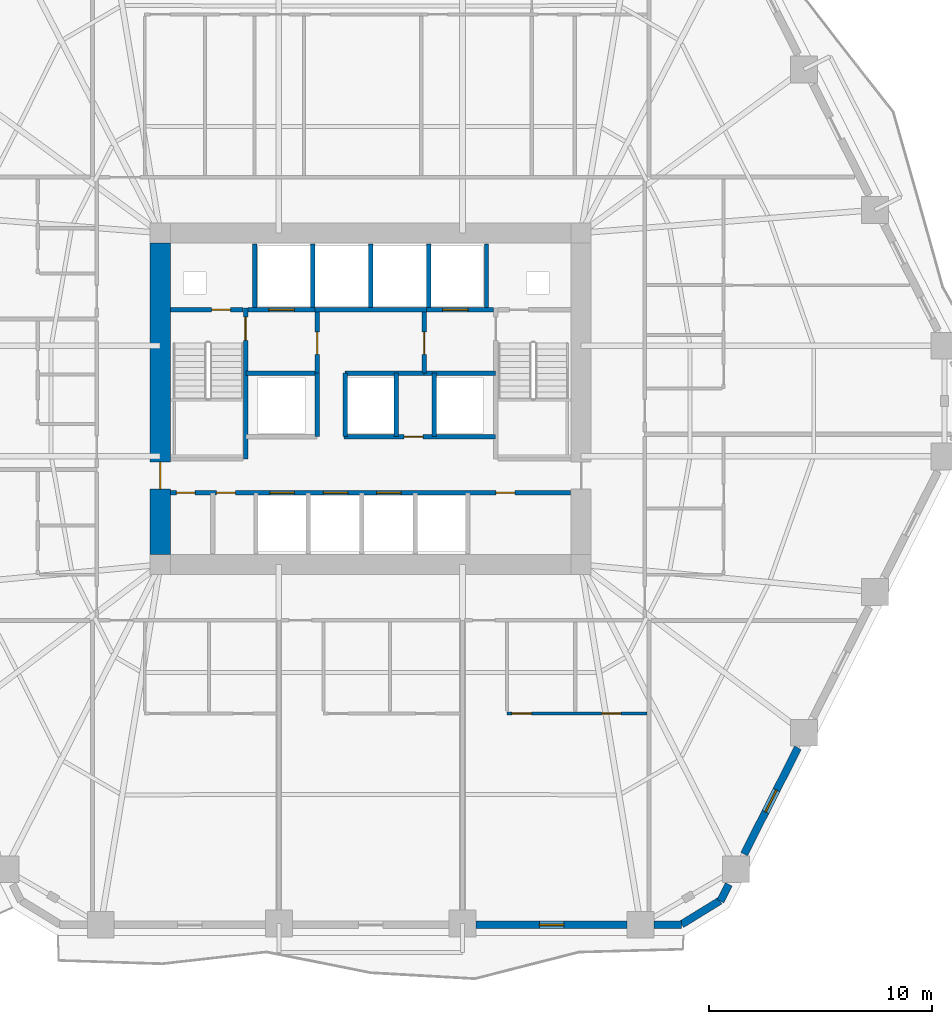
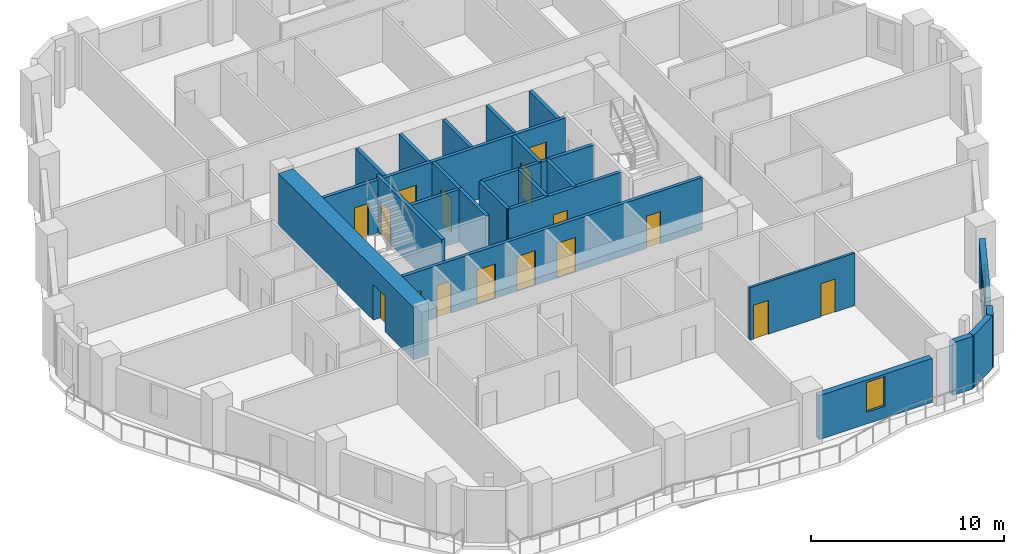
# One storey, part 5 of 11: 28 walls, 16 doors, 2 windows, 18 openings.
"""IFC4 building model written with IfcOpenShell, lengths in metres."""

from ifc_helpers import new_model, si_unit, direction, frame, frame_2d, origin, place, context, subcontext, project, spatial, rectangle, extrude, material, layer, layer_set, type_object, element, fill, save


model = new_model("IFC4")

# Units and contexts
model_context = context("Model", 3, precision=1e-05, world=origin(), true_north=direction((0.0, 1.0)))
body_context = subcontext(model_context, "Body", "Model", "MODEL_VIEW")
ifc_project = project(units=[si_unit("LENGTHUNIT", "METRE"), si_unit("AREAUNIT", "SQUARE_METRE"), si_unit("VOLUMEUNIT", "CUBIC_METRE"), si_unit("PLANEANGLEUNIT", "RADIAN"), si_unit("MASSUNIT", "GRAM", prefix="KILO")], contexts=[model_context])

# Site, building, storey
site_placement = place(None, origin())
site = spatial("IfcSite", under=ifc_project, at=site_placement, CompositionType="ELEMENT")
building_placement = place(site_placement, origin())
building = spatial("IfcBuilding", under=site, at=building_placement, Name="Cinnabar Lancet Tower", CompositionType="ELEMENT")
storey_placement = place(building_placement, frame((0.0, 0.0, 42.64990234375)))
storey = spatial("IfcBuildingStorey", under=building, at=storey_placement, Name="L10", CompositionType="ELEMENT", Elevation=42.64990234375)

# Wall, opening, door
ifc_material_1 = material(Name="Autoclaved aerated concrete blockwork", Category="masonry")
ifc_layer_1 = layer(ifc_material_1, 0.199951171875)
ifc_layer_set_1 = layer_set([ifc_layer_1], Name="Autoclaved aerated concrete blockwork")
wall_type_1 = type_object("IfcWallType", Name="ARC-WL-SHAFT-200", PredefinedType="PLUMBINGWALL", material=ifc_layer_set_1)
wall_1_placement = place(storey_placement, frame((23.405029296875, 29.89990234375, 0.0), z_axis=(0.0, 0.0, 1.0), x_axis=(1.0, 0.0, 0.0)))
wall_1 = element("IfcWall", 1, at=wall_1_placement, inside=storey, type_object=wall_type_1, Name="CW-NSH-W-L10", PredefinedType="PLUMBINGWALL", context=body_context, shape_type="SweptSolid", body=[
    extrude(rectangle(XDim=3.27001953125, YDim=0.199951171875, at=frame_2d((1.635009765625, 0.0))), origin(), (0.0, 0.0, 1.0), 3.330078125),
])
opening_1_placement = place(wall_1_placement, frame((1.85009765625, 0.0, 0.0)))
opening_1 = element("IfcOpeningElement", 2, at=opening_1_placement, cuts=wall_1, Name="Opening PD-02", PredefinedType="OPENING", context=body_context, shape_type="SweptSolid", body=[
    extrude(rectangle(XDim=0.85009765625, YDim=2.050048828125, at=frame_2d((0.425048828125, 1.02490234375))), frame((0.0, 0.10986328125, 0.0), z_axis=(0.0, -1.0, 0.0), x_axis=(1.0, 0.0, 0.0)), (0.0, 0.0, 1.0), 0.219970703125),
])
ifc_material_2 = material(Name="Fire-rated steel riser access door", Category="steel")
door_type_1 = type_object("IfcDoorType", Name="ARC-DR-RISER", OperationType="NOTDEFINED", PredefinedType="DOOR", material=ifc_material_2)
door_1_placement = place(opening_1_placement, origin())
door_1 = element("IfcDoor", 3, at=door_1_placement, inside=storey, type_object=door_type_1, Name="L10 West Riser Access Door", OperationType="SINGLE_SWING_LEFT", OverallHeight=2.050048828125, OverallWidth=0.85009765625, PredefinedType="DOOR", context=body_context, shape_type="SweptSolid", body=[
    extrude(rectangle(XDim=0.85009765625, YDim=2.050048828125, at=frame_2d((0.425048828125, 1.02490234375))), frame((0.0, 0.02490234375, 0.0), z_axis=(0.0, -1.0, 0.0), x_axis=(1.0, 0.0, 0.0)), (0.0, 0.0, 1.0), 0.050048828125),
])
fill(opening_1, door_1)

wall_2_placement = place(storey_placement, frame((26.885009765625, 29.89990234375, 0.0), z_axis=(0.0, 0.0, 1.0), x_axis=(1.0, 0.0, 0.0)))
wall_2 = element("IfcWall", 4, at=wall_2_placement, inside=storey, type_object=wall_type_1, Name="CW-FL1-L10", PredefinedType="PLUMBINGWALL", context=body_context, shape_type="SweptSolid", body=[
    extrude(rectangle(XDim=3.014892578125, YDim=0.199951171875, at=frame_2d((1.50732421875, 0.0))), origin(), (0.0, 0.0, 1.0), 3.330078125),
])
opening_2_placement = place(wall_2_placement, frame((0.93994140625, 0.0, 0.0)))
opening_2 = element("IfcOpeningElement", 5, at=opening_2_placement, cuts=wall_2, Name="Opening LD-02", PredefinedType="OPENING", context=body_context, shape_type="SweptSolid", body=[
    extrude(rectangle(XDim=1.14990234375, YDim=2.199951171875, at=frame_2d((0.574951171875, 1.10009765625))), frame((0.0, 0.10986328125, 0.0), z_axis=(0.0, -1.0, 0.0), x_axis=(1.0, 0.0, 0.0)), (0.0, 0.0, 1.0), 0.219970703125),
])
ifc_material_3 = material(Name="Fire-rated stainless steel firefighting lift landing door", Category="steel")
door_type_2 = type_object("IfcDoorType", Name="ARC-DR-LD-FIRE", OperationType="NOTDEFINED", PredefinedType="DOOR", material=ifc_material_3)
door_2_placement = place(opening_2_placement, origin())
door_2 = element("IfcDoor", 6, at=door_2_placement, inside=storey, type_object=door_type_2, Name="L10 Firefighting Lift FL-1 Landing Door", OperationType="DOUBLE_DOOR_SLIDING", OverallHeight=2.199951171875, OverallWidth=1.14990234375, PredefinedType="DOOR", context=body_context, shape_type="SweptSolid", body=[
    extrude(rectangle(XDim=1.14990234375, YDim=2.199951171875, at=frame_2d((0.574951171875, 1.10009765625))), frame((0.0, 0.02490234375, 0.0), z_axis=(0.0, -1.0, 0.0), x_axis=(1.0, 0.0, 0.0)), (0.0, 0.0, 1.0), 0.050048828125),
])
fill(opening_2, door_2)

# Wall
wall_3_placement = place(storey_placement, frame((29.89990234375, 29.89990234375, 0.0), z_axis=(0.0, 0.0, 1.0), x_axis=(1.0, 0.0, 0.0)))
element("IfcWall", 7, at=wall_3_placement, inside=storey, type_object=wall_type_1, Name="CW-PL78-L10", PredefinedType="PLUMBINGWALL", context=body_context, shape_type="SweptSolid", body=[
    extrude(rectangle(XDim=5.0, YDim=0.199951171875, at=frame_2d((2.5, 0.0))), origin(), (0.0, 0.0, 1.0), 3.330078125),
])

# Wall, opening, door
wall_4_placement = place(storey_placement, frame((34.89990234375, 29.89990234375, 0.0), z_axis=(0.0, 0.0, 1.0), x_axis=(1.0, 0.0, 0.0)))
wall_4 = element("IfcWall", 8, at=wall_4_placement, inside=storey, type_object=wall_type_1, Name="CW-FL2-L10", PredefinedType="PLUMBINGWALL", context=body_context, shape_type="SweptSolid", body=[
    extrude(rectangle(XDim=3.01513671875, YDim=0.199951171875, at=frame_2d((1.507568359375, 0.0))), origin(), (0.0, 0.0, 1.0), 3.330078125),
])
opening_3_placement = place(wall_4_placement, frame((0.72509765625, 0.0, 0.0)))
opening_3 = element("IfcOpeningElement", 9, at=opening_3_placement, cuts=wall_4, Name="Opening LD-02", PredefinedType="OPENING", context=body_context, shape_type="SweptSolid", body=[
    extrude(rectangle(XDim=1.14990234375, YDim=2.199951171875, at=frame_2d((0.574951171875, 1.10009765625))), frame((0.0, 0.10986328125, 0.0), z_axis=(0.0, -1.0, 0.0), x_axis=(1.0, 0.0, 0.0)), (0.0, 0.0, 1.0), 0.219970703125),
])
door_3_placement = place(opening_3_placement, origin())
door_3 = element("IfcDoor", 10, at=door_3_placement, inside=storey, type_object=door_type_2, Name="L10 Firefighting Lift FL-2 Landing Door", OperationType="DOUBLE_DOOR_SLIDING", OverallHeight=2.199951171875, OverallWidth=1.14990234375, PredefinedType="DOOR", context=body_context, shape_type="SweptSolid", body=[
    extrude(rectangle(XDim=1.14990234375, YDim=2.199951171875, at=frame_2d((0.574951171875, 1.10009765625))), frame((0.0, 0.02490234375, 0.0), z_axis=(0.0, -1.0, 0.0), x_axis=(1.0, 0.0, 0.0)), (0.0, 0.0, 1.0), 0.050048828125),
])
fill(opening_3, door_3)

# Walls
for number, where, z_axis, x_axis, name in (
    (11, (27.199951171875, 30.0, 0.0), (0.0, 0.0, 1.0), (0.0, 1.0, 0.0), "CW-NSH-D1-L10"),
    (12, (29.800048828125, 30.0, 0.0), (0.0, 0.0, 1.0), (0.0, 1.0, 0.0), "CW-NSH-D2-L10"),
    (13, (32.39990234375, 30.0, 0.0), (0.0, 0.0, 1.0), (0.0, 1.0, 0.0), "CW-NSH-D3-L10"),
    (14, (35.0, 30.0, 0.0), (0.0, 0.0, 1.0), (0.0, 1.0, 0.0), "CW-NSH-D4-L10"),
    (15, (37.60009765625, 30.0, 0.0), (0.0, 0.0, 1.0), (0.0, 1.0, 0.0), "CW-NSH-D5-L10"),
):
    element("IfcWall", number, at=place(storey_placement, frame(where, z_axis=z_axis, x_axis=x_axis)), inside=storey, type_object=wall_type_1, Name=name, PredefinedType="PLUMBINGWALL", context=body_context, shape_type="SweptSolid", body=[
        extrude(rectangle(XDim=2.85009765625, YDim=0.199951171875, at=frame_2d((1.425048828125, 0.0))), origin(), (0.0, 0.0, 1.0), 3.330078125),
    ])

# Wall, opening, door
wall_5_placement = place(storey_placement, frame((30.0, 27.050048828125, 0.0), z_axis=(0.0, 0.0, 1.0), x_axis=(0.0, 1.0, 0.0)))
wall_5 = element("IfcWall", 16, at=wall_5_placement, inside=storey, type_object=wall_type_1, Name="CW-FF1E-L10", PredefinedType="PLUMBINGWALL", context=body_context, shape_type="SweptSolid", body=[
    extrude(rectangle(XDim=2.75, YDim=0.199951171875, at=frame_2d((1.375, 0.0))), origin(), (0.0, 0.0, 1.0), 3.330078125),
])
opening_4_placement = place(wall_5_placement, frame((0.85009765625, 0.0, 0.0)))
opening_4 = element("IfcOpeningElement", 17, at=opening_4_placement, cuts=wall_5, Name="Opening FD-01", PredefinedType="OPENING", context=body_context, shape_type="SweptSolid", body=[
    extrude(rectangle(XDim=1.0, YDim=2.14990234375, at=frame_2d((0.5, 1.074951171875))), frame((0.0, 0.10986328125, 0.0), z_axis=(0.0, -1.0, 0.0), x_axis=(1.0, 0.0, 0.0)), (0.0, 0.0, 1.0), 0.219970703125),
])
ifc_material_4 = material(Name="Fire-rated timber-core lobby door", Category="wood")
door_type_3 = type_object("IfcDoorType", Name="ARC-DR-FFAL", OperationType="NOTDEFINED", PredefinedType="DOOR", material=ifc_material_4)
door_4_placement = place(opening_4_placement, origin())
door_4 = element("IfcDoor", 18, at=door_4_placement, inside=storey, type_object=door_type_3, Name="L10 FFAL-1 Lobby Fire Door", OperationType="SINGLE_SWING_RIGHT", OverallHeight=2.14990234375, OverallWidth=1.0, PredefinedType="DOOR", context=body_context, shape_type="SweptSolid", body=[
    extrude(rectangle(XDim=1.0, YDim=2.14990234375, at=frame_2d((0.5, 1.074951171875))), frame((0.0, 0.02490234375, 0.0), z_axis=(0.0, -1.0, 0.0), x_axis=(1.0, 0.0, 0.0)), (0.0, 0.0, 1.0), 0.050048828125),
])
fill(opening_4, door_4)

# Wall
wall_6_placement = place(storey_placement, frame((26.800048828125, 27.050048828125, 0.0), z_axis=(0.0, 0.0, 1.0), x_axis=(1.0, 0.0, 0.0)))
element("IfcWall", 19, at=wall_6_placement, inside=storey, type_object=wall_type_1, Name="CW-FF1S-L10", PredefinedType="PLUMBINGWALL", context=body_context, shape_type="SweptSolid", body=[
    extrude(rectangle(XDim=3.199951171875, YDim=0.199951171875, at=frame_2d((1.60009765625, 0.0))), origin(), (0.0, 0.0, 1.0), 3.330078125),
])

# Wall, opening, door
wall_7_placement = place(storey_placement, frame((34.800048828125, 27.050048828125, 0.0), z_axis=(0.0, 0.0, 1.0), x_axis=(0.0, 1.0, 0.0)))
wall_7 = element("IfcWall", 20, at=wall_7_placement, inside=storey, type_object=wall_type_1, Name="CW-FF2W-L10", PredefinedType="PLUMBINGWALL", context=body_context, shape_type="SweptSolid", body=[
    extrude(rectangle(XDim=2.75, YDim=0.199951171875, at=frame_2d((1.375, 0.0))), origin(), (0.0, 0.0, 1.0), 3.330078125),
])
opening_5_placement = place(wall_7_placement, frame((0.85009765625, 0.0, 0.0)))
opening_5 = element("IfcOpeningElement", 21, at=opening_5_placement, cuts=wall_7, Name="Opening FD-01", PredefinedType="OPENING", context=body_context, shape_type="SweptSolid", body=[
    extrude(rectangle(XDim=1.0, YDim=2.14990234375, at=frame_2d((0.5, 1.074951171875))), frame((0.0, 0.10986328125, 0.0), z_axis=(0.0, -1.0, 0.0), x_axis=(1.0, 0.0, 0.0)), (0.0, 0.0, 1.0), 0.219970703125),
])
door_5_placement = place(opening_5_placement, origin())
door_5 = element("IfcDoor", 22, at=door_5_placement, inside=storey, type_object=door_type_3, Name="L10 FFAL-2 Lobby Fire Door", OperationType="SINGLE_SWING_LEFT", OverallHeight=2.14990234375, OverallWidth=1.0, PredefinedType="DOOR", context=body_context, shape_type="SweptSolid", body=[
    extrude(rectangle(XDim=1.0, YDim=2.14990234375, at=frame_2d((0.5, 1.074951171875))), frame((0.0, 0.02490234375, 0.0), z_axis=(0.0, -1.0, 0.0), x_axis=(1.0, 0.0, 0.0)), (0.0, 0.0, 1.0), 0.050048828125),
])
fill(opening_5, door_5)

# Walls
wall_8_placement = place(storey_placement, frame((34.800048828125, 27.050048828125, 0.0), z_axis=(0.0, 0.0, 1.0), x_axis=(1.0, 0.0, 0.0)))
element("IfcWall", 23, at=wall_8_placement, inside=storey, type_object=wall_type_1, Name="CW-FF2S-L10", PredefinedType="PLUMBINGWALL", context=body_context, shape_type="SweptSolid", body=[
    extrude(rectangle(XDim=3.199951171875, YDim=0.199951171875, at=frame_2d((1.60009765625, 0.0))), origin(), (0.0, 0.0, 1.0), 3.330078125),
])
wall_9_placement = place(storey_placement, frame((30.0, 24.199951171875, 0.0), z_axis=(0.0, 0.0, 1.0), x_axis=(0.0, 1.0, 0.0)))
element("IfcWall", 24, at=wall_9_placement, inside=storey, type_object=wall_type_1, Name="CW-PL5E-L10", PredefinedType="PLUMBINGWALL", context=body_context, shape_type="SweptSolid", body=[
    extrude(rectangle(XDim=2.85009765625, YDim=0.199951171875, at=frame_2d((1.425048828125, 0.0))), origin(), (0.0, 0.0, 1.0), 3.330078125),
])

# Wall, opening, door
wall_10_placement = place(storey_placement, frame((31.199951171875, 24.199951171875, 0.0), z_axis=(0.0, 0.0, 1.0), x_axis=(1.0, 0.0, 0.0)))
wall_10 = element("IfcWall", 25, at=wall_10_placement, inside=storey, type_object=wall_type_1, Name="CW-PL96S-L10", PredefinedType="PLUMBINGWALL", context=body_context, shape_type="SweptSolid", body=[
    extrude(rectangle(XDim=6.800048828125, YDim=0.199951171875, at=frame_2d((3.39990234375, 0.0))), origin(), (0.0, 0.0, 1.0), 3.330078125),
])
opening_6_placement = place(wall_10_placement, frame((2.699951171875, 0.0, 0.0)))
opening_6 = element("IfcOpeningElement", 26, at=opening_6_placement, cuts=wall_10, Name="Opening PD-02", PredefinedType="OPENING", context=body_context, shape_type="SweptSolid", body=[
    extrude(rectangle(XDim=0.85009765625, YDim=2.050048828125, at=frame_2d((0.425048828125, 1.02490234375))), frame((0.0, 0.10986328125, 0.0), z_axis=(0.0, -1.0, 0.0), x_axis=(1.0, 0.0, 0.0)), (0.0, 0.0, 1.0), 0.219970703125),
])
door_6_placement = place(opening_6_placement, origin())
door_6 = element("IfcDoor", 27, at=door_6_placement, inside=storey, type_object=door_type_1, Name="L10 BMS Closet Door", OperationType="SINGLE_SWING_LEFT", OverallHeight=2.050048828125, OverallWidth=0.85009765625, PredefinedType="DOOR", context=body_context, shape_type="SweptSolid", body=[
    extrude(rectangle(XDim=0.85009765625, YDim=2.050048828125, at=frame_2d((0.425048828125, 1.02490234375))), frame((0.0, 0.02490234375, 0.0), z_axis=(0.0, -1.0, 0.0), x_axis=(1.0, 0.0, 0.0)), (0.0, 0.0, 1.0), 0.050048828125),
])
fill(opening_6, door_6)

# Walls
for number, where, z_axis, x_axis, name in (
    (28, (31.25, 24.199951171875, 0.0), (0.0, 0.0, 1.0), (0.0, 1.0, 0.0), "CW-PL9W-L10"),
    (29, (33.550048828125, 24.199951171875, 0.0), (0.0, 0.0, 1.0), (0.0, 1.0, 0.0), "CW-PL9E-L10"),
    (30, (35.25, 24.199951171875, 0.0), (0.0, 0.0, 1.0), (0.0, 1.0, 0.0), "CW-PL6W-L10"),
):
    element("IfcWall", number, at=place(storey_placement, frame(where, z_axis=z_axis, x_axis=x_axis)), inside=storey, type_object=wall_type_1, Name=name, PredefinedType="PLUMBINGWALL", context=body_context, shape_type="SweptSolid", body=[
        extrude(rectangle(XDim=2.85009765625, YDim=0.199951171875, at=frame_2d((1.425048828125, 0.0))), origin(), (0.0, 0.0, 1.0), 3.330078125),
    ])
wall_11_placement = place(storey_placement, frame((31.25, 27.050048828125, 0.0), z_axis=(0.0, 0.0, 1.0), x_axis=(1.0, 0.0, 0.0)))
element("IfcWall", 31, at=wall_11_placement, inside=storey, type_object=wall_type_1, Name="CW-PL96N-L10", PredefinedType="PLUMBINGWALL", context=body_context, shape_type="SweptSolid", body=[
    extrude(rectangle(XDim=3.550048828125, YDim=0.199951171875, at=frame_2d((1.77490234375, 0.0))), origin(), (0.0, 0.0, 1.0), 3.330078125),
])

# Wall, openings, doors
wall_12_placement = place(storey_placement, frame((23.419921875, 21.679931640625, 0.0), z_axis=(0.0, 0.0, 1.0), x_axis=(1.0, 0.0, 0.0)))
wall_12 = element("IfcWall", 32, at=wall_12_placement, inside=storey, type_object=wall_type_1, Name="CW-SBANDN-L10", PredefinedType="PLUMBINGWALL", context=body_context, shape_type="SweptSolid", body=[
    extrude(rectangle(XDim=17.9599609375, YDim=0.199951171875, at=frame_2d((8.97998046875, 0.0))), origin(), (0.0, 0.0, 1.0), 3.330078125),
])
opening_7_placement = place(wall_12_placement, frame((4.449951171875, 0.0, 0.0)))
opening_7 = element("IfcOpeningElement", 33, at=opening_7_placement, cuts=wall_12, Name="Opening LD-01", PredefinedType="OPENING", context=body_context, shape_type="SweptSolid", body=[
    extrude(rectangle(XDim=1.10009765625, YDim=2.199951171875, at=frame_2d((0.550048828125, 1.10009765625))), frame((0.0, 0.10986328125, 0.0), z_axis=(0.0, -1.0, 0.0), x_axis=(1.0, 0.0, 0.0)), (0.0, 0.0, 1.0), 0.219970703125),
])
opening_8_placement = place(wall_12_placement, frame((6.85009765625, 0.0, 0.0)))
opening_8 = element("IfcOpeningElement", 34, at=opening_8_placement, cuts=wall_12, Name="Opening LD-01", PredefinedType="OPENING", context=body_context, shape_type="SweptSolid", body=[
    extrude(rectangle(XDim=1.10009765625, YDim=2.199951171875, at=frame_2d((0.550048828125, 1.10009765625))), frame((0.0, 0.10986328125, 0.0), z_axis=(0.0, -1.0, 0.0), x_axis=(1.0, 0.0, 0.0)), (0.0, 0.0, 1.0), 0.219970703125),
])
opening_9_placement = place(wall_12_placement, frame((9.25, 0.0, 0.0)))
opening_9 = element("IfcOpeningElement", 35, at=opening_9_placement, cuts=wall_12, Name="Opening LD-01", PredefinedType="OPENING", context=body_context, shape_type="SweptSolid", body=[
    extrude(rectangle(XDim=1.10009765625, YDim=2.199951171875, at=frame_2d((0.550048828125, 1.10009765625))), frame((0.0, 0.10986328125, 0.0), z_axis=(0.0, -1.0, 0.0), x_axis=(1.0, 0.0, 0.0)), (0.0, 0.0, 1.0), 0.219970703125),
])
opening_10_placement = place(wall_12_placement, frame((0.25, 0.0, 0.0)))
opening_10 = element("IfcOpeningElement", 36, at=opening_10_placement, cuts=wall_12, Name="Opening PD-02", PredefinedType="OPENING", context=body_context, shape_type="SweptSolid", body=[
    extrude(rectangle(XDim=0.85009765625, YDim=2.050048828125, at=frame_2d((0.425048828125, 1.02490234375))), frame((0.0, 0.10986328125, 0.0), z_axis=(0.0, -1.0, 0.0), x_axis=(1.0, 0.0, 0.0)), (0.0, 0.0, 1.0), 0.219970703125),
])
opening_11_placement = place(wall_12_placement, frame((2.050048828125, 0.0, 0.0)))
opening_11 = element("IfcOpeningElement", 37, at=opening_11_placement, cuts=wall_12, Name="Opening PD-02", PredefinedType="OPENING", context=body_context, shape_type="SweptSolid", body=[
    extrude(rectangle(XDim=0.85009765625, YDim=2.050048828125, at=frame_2d((0.425048828125, 1.02490234375))), frame((0.0, 0.10986328125, 0.0), z_axis=(0.0, -1.0, 0.0), x_axis=(1.0, 0.0, 0.0)), (0.0, 0.0, 1.0), 0.219970703125),
])
opening_12_placement = place(wall_12_placement, frame((14.60009765625, 0.0, 0.0)))
opening_12 = element("IfcOpeningElement", 38, at=opening_12_placement, cuts=wall_12, Name="Opening PD-02", PredefinedType="OPENING", context=body_context, shape_type="SweptSolid", body=[
    extrude(rectangle(XDim=0.85009765625, YDim=2.050048828125, at=frame_2d((0.425048828125, 1.02490234375))), frame((0.0, 0.10986328125, 0.0), z_axis=(0.0, -1.0, 0.0), x_axis=(1.0, 0.0, 0.0)), (0.0, 0.0, 1.0), 0.219970703125),
])
ifc_material_5 = material(Name="Brushed stainless steel sliding lift door", Category="steel")
door_type_4 = type_object("IfcDoorType", Name="ARC-DR-LD-PASS", OperationType="NOTDEFINED", PredefinedType="DOOR", material=ifc_material_5)
door_7_placement = place(opening_7_placement, origin())
door_7 = element("IfcDoor", 39, at=door_7_placement, inside=storey, type_object=door_type_4, Name="L10 Lift PL-1 Landing Door", OperationType="DOUBLE_DOOR_SLIDING", OverallHeight=2.199951171875, OverallWidth=1.10009765625, PredefinedType="DOOR", context=body_context, shape_type="SweptSolid", body=[
    extrude(rectangle(XDim=1.10009765625, YDim=2.199951171875, at=frame_2d((0.550048828125, 1.10009765625))), frame((0.0, 0.02490234375, 0.0), z_axis=(0.0, -1.0, 0.0), x_axis=(1.0, 0.0, 0.0)), (0.0, 0.0, 1.0), 0.050048828125),
])
fill(opening_7, door_7)
door_8_placement = place(opening_8_placement, origin())
door_8 = element("IfcDoor", 40, at=door_8_placement, inside=storey, type_object=door_type_4, Name="L10 Lift PL-2 Landing Door", OperationType="DOUBLE_DOOR_SLIDING", OverallHeight=2.199951171875, OverallWidth=1.10009765625, PredefinedType="DOOR", context=body_context, shape_type="SweptSolid", body=[
    extrude(rectangle(XDim=1.10009765625, YDim=2.199951171875, at=frame_2d((0.550048828125, 1.10009765625))), frame((0.0, 0.02490234375, 0.0), z_axis=(0.0, -1.0, 0.0), x_axis=(1.0, 0.0, 0.0)), (0.0, 0.0, 1.0), 0.050048828125),
])
fill(opening_8, door_8)
door_9_placement = place(opening_9_placement, origin())
door_9 = element("IfcDoor", 41, at=door_9_placement, inside=storey, type_object=door_type_4, Name="L10 Lift PL-3 Landing Door", OperationType="DOUBLE_DOOR_SLIDING", OverallHeight=2.199951171875, OverallWidth=1.10009765625, PredefinedType="DOOR", context=body_context, shape_type="SweptSolid", body=[
    extrude(rectangle(XDim=1.10009765625, YDim=2.199951171875, at=frame_2d((0.550048828125, 1.10009765625))), frame((0.0, 0.02490234375, 0.0), z_axis=(0.0, -1.0, 0.0), x_axis=(1.0, 0.0, 0.0)), (0.0, 0.0, 1.0), 0.050048828125),
])
fill(opening_9, door_9)
door_10_placement = place(opening_10_placement, origin())
door_10 = element("IfcDoor", 42, at=door_10_placement, inside=storey, type_object=door_type_1, Name="DR-L10-SW1", OperationType="SINGLE_SWING_LEFT", OverallHeight=2.050048828125, OverallWidth=0.85009765625, PredefinedType="DOOR", context=body_context, shape_type="SweptSolid", body=[
    extrude(rectangle(XDim=0.85009765625, YDim=2.050048828125, at=frame_2d((0.425048828125, 1.02490234375))), frame((0.0, 0.02490234375, 0.0), z_axis=(0.0, -1.0, 0.0), x_axis=(1.0, 0.0, 0.0)), (0.0, 0.0, 1.0), 0.050048828125),
])
fill(opening_10, door_10)
door_11_placement = place(opening_11_placement, origin())
door_11 = element("IfcDoor", 43, at=door_11_placement, inside=storey, type_object=door_type_1, Name="DR-L10-SW2", OperationType="SINGLE_SWING_RIGHT", OverallHeight=2.050048828125, OverallWidth=0.85009765625, PredefinedType="DOOR", context=body_context, shape_type="SweptSolid", body=[
    extrude(rectangle(XDim=0.85009765625, YDim=2.050048828125, at=frame_2d((0.425048828125, 1.02490234375))), frame((0.0, 0.02490234375, 0.0), z_axis=(0.0, -1.0, 0.0), x_axis=(1.0, 0.0, 0.0)), (0.0, 0.0, 1.0), 0.050048828125),
])
fill(opening_11, door_11)
door_12_placement = place(opening_12_placement, origin())
door_12 = element("IfcDoor", 44, at=door_12_placement, inside=storey, type_object=door_type_1, Name="DR-L10-SE1", OperationType="SINGLE_SWING_LEFT", OverallHeight=2.050048828125, OverallWidth=0.85009765625, PredefinedType="DOOR", context=body_context, shape_type="SweptSolid", body=[
    extrude(rectangle(XDim=0.85009765625, YDim=2.050048828125, at=frame_2d((0.425048828125, 1.02490234375))), frame((0.0, 0.02490234375, 0.0), z_axis=(0.0, -1.0, 0.0), x_axis=(1.0, 0.0, 0.0)), (0.0, 0.0, 1.0), 0.050048828125),
])
fill(opening_12, door_12)

ifc_material_6 = material(Name="Moisture-resistant cement-board plumbing wall", Category="masonry")
ifc_layer_2 = layer(ifc_material_6, 0.139892578125)
ifc_layer_set_2 = layer_set([ifc_layer_2], Name="Moisture-resistant cement-board plumbing wall")
wall_type_2 = type_object("IfcWallType", Name="ARC-WL-WET-140", PredefinedType="PLUMBINGWALL", material=ifc_layer_set_2)
wall_13_placement = place(storey_placement, frame((38.52197265625, 11.76708984375, 0.0), z_axis=(0.0, 0.0, 1.0), x_axis=(1.0, 0.0, 0.0)))
wall_13 = element("IfcWall", 45, at=wall_13_placement, inside=storey, type_object=wall_type_2, Name="UW-L10-S03-SPL", PredefinedType="PLUMBINGWALL", context=body_context, shape_type="SweptSolid", body=[
    extrude(rectangle(XDim=6.282958984375, YDim=0.139892578125, at=frame_2d((3.1416015625, 0.0))), origin(), (0.0, 0.0, 1.0), 3.330078125),
])
opening_13_placement = place(wall_13_placement, frame((4.2470703125, 0.0, 0.0)))
opening_13 = element("IfcOpeningElement", 46, at=opening_13_placement, cuts=wall_13, Name="Opening BD-01", PredefinedType="OPENING", context=body_context, shape_type="SweptSolid", body=[
    extrude(rectangle(XDim=0.860107421875, YDim=2.10009765625, at=frame_2d((0.43017578125, 1.050048828125))), frame((0.0, 0.079833984375, 0.0), z_axis=(0.0, -1.0, 0.0), x_axis=(1.0, 0.0, 0.0)), (0.0, 0.0, 1.0), 0.159912109375),
])
opening_14_placement = place(wall_13_placement, frame((0.219970703125, 0.0, 0.0)))
opening_14 = element("IfcOpeningElement", 47, at=opening_14_placement, cuts=wall_13, Name="Opening RD-02", PredefinedType="OPENING", context=body_context, shape_type="SweptSolid", body=[
    extrude(rectangle(XDim=0.8798828125, YDim=2.14990234375, at=frame_2d((0.43994140625, 1.074951171875))), frame((0.0, 0.079833984375, 0.0), z_axis=(0.0, -1.0, 0.0), x_axis=(1.0, 0.0, 0.0)), (0.0, 0.0, 1.0), 0.159912109375),
])
ifc_material_7 = material(Name="Moisture-resistant timber bathroom door", Category="wood")
door_type_5 = type_object("IfcDoorType", Name="ARC-DR-BATH", OperationType="NOTDEFINED", PredefinedType="DOOR", material=ifc_material_7)
door_13_placement = place(opening_13_placement, origin())
door_13 = element("IfcDoor", 48, at=door_13_placement, inside=storey, type_object=door_type_5, Name="DR-L10-S03-BTH", OperationType="SINGLE_SWING_LEFT", OverallHeight=2.10009765625, OverallWidth=0.860107421875, PredefinedType="DOOR", context=body_context, shape_type="SweptSolid", body=[
    extrude(rectangle(XDim=0.860107421875, YDim=2.10009765625, at=frame_2d((0.43017578125, 1.050048828125))), frame((0.0, 0.02490234375, 0.0), z_axis=(0.0, -1.0, 0.0), x_axis=(1.0, 0.0, 0.0)), (0.0, 0.0, 1.0), 0.050048828125),
])
fill(opening_13, door_13)
ifc_material_8 = material(Name="Engineered timber study door", Category="wood")
door_type_6 = type_object("IfcDoorType", Name="ARC-DR-STUDY", OperationType="NOTDEFINED", PredefinedType="DOOR", material=ifc_material_8)
door_14_placement = place(opening_14_placement, origin())
door_14 = element("IfcDoor", 49, at=door_14_placement, inside=storey, type_object=door_type_6, Name="DR-L10-S03-KIT", OperationType="SINGLE_SWING_RIGHT", OverallHeight=2.14990234375, OverallWidth=0.8798828125, PredefinedType="DOOR", context=body_context, shape_type="SweptSolid", body=[
    extrude(rectangle(XDim=0.8798828125, YDim=2.14990234375, at=frame_2d((0.43994140625, 1.074951171875))), frame((0.0, 0.02490234375, 0.0), z_axis=(0.0, -1.0, 0.0), x_axis=(1.0, 0.0, 0.0)), (0.0, 0.0, 1.0), 0.050048828125),
])
fill(opening_14, door_14)

# Wall
ifc_material_9 = material(Name="Cinnabar red clay brick", Category="masonry")
ifc_layer_3 = layer(ifc_material_9, 0.340087890625)
ifc_layer_set_3 = layer_set([ifc_layer_3], Name="Cinnabar red clay brick")
wall_type_3 = type_object("IfcWallType", Name="ENV-WL-BRK-RED-340", PredefinedType="STANDARD", material=ifc_layer_set_3)
wall_14_placement = place(storey_placement, frame((46.361083984375, 2.304931640625, 0.0), z_axis=(0.0, 0.0, 1.0), x_axis=(0.851816122478, 0.523840904748, 0.0)))
element("IfcWall", 50, at=wall_14_placement, inside=storey, type_object=wall_type_3, Name="L10 Chamfered Corner Brick Pier 2.1", PredefinedType="STANDARD", context=body_context, shape_type="SweptSolid", body=[
    extrude(rectangle(XDim=2.01806640625, YDim=0.340087890625, at=frame_2d((1.009033203125, 0.0))), origin(), (0.0, 0.0, 1.0), 3.330078125),
])

# Wall, opening, window
wall_15_placement = place(storey_placement, frame((37.1259765625, 2.280029296875, 0.0), z_axis=(0.0, 0.0, 1.0), x_axis=(1.0, 0.0, 0.0)))
wall_15 = element("IfcWall", 51, at=wall_15_placement, inside=storey, type_object=wall_type_3, Name="L10 Face 1 Masonry Bay Wall 4", PredefinedType="STANDARD", context=body_context, shape_type="SweptSolid", body=[
    extrude(rectangle(XDim=6.787109375, YDim=0.340087890625, at=frame_2d((3.3935546875, 0.0))), origin(), (0.0, 0.0, 1.0), 2.787109375),
])
opening_15_placement = place(wall_15_placement, frame((2.843017578125, 0.0, 0.75)))
opening_15 = element("IfcOpeningElement", 52, at=opening_15_placement, cuts=wall_15, Name="Opening WN-04", PredefinedType="OPENING", context=body_context, shape_type="SweptSolid", body=[
    extrude(rectangle(XDim=1.10009765625, YDim=1.886962890625, at=frame_2d((0.550048828125, 0.943359375))), frame((0.0, 0.179931640625, 0.0), z_axis=(0.0, -1.0, 0.0), x_axis=(1.0, 0.0, 0.0)), (0.0, 0.0, 1.0), 0.360107421875),
])
ifc_material_10 = material(Name="Thermally broken bronze-anodized aluminium tall lancet window", Category="aluminium")
window_type = type_object("IfcWindowType", Name="ENV-WN-LANCET-1100", PartitioningType="SINGLE_PANEL", PredefinedType="WINDOW", material=ifc_material_10)
window_1_placement = place(opening_15_placement, origin())
window_1 = element("IfcWindow", 53, at=window_1_placement, inside=storey, type_object=window_type, Name="L10 Face 1 Gothic Lancet Window 4", OverallHeight=1.886962890625, OverallWidth=1.10009765625, PartitioningType="SINGLE_PANEL", PredefinedType="WINDOW", context=body_context, shape_type="SweptSolid", body=[
    extrude(rectangle(XDim=1.10009765625, YDim=1.886962890625, at=frame_2d((0.550048828125, 0.943359375))), frame((0.0, 0.030029296875, 0.0), z_axis=(0.0, -1.0, 0.0), x_axis=(1.0, 0.0, 0.0)), (0.0, 0.0, 1.0), 0.06005859375),
])
fill(opening_15, window_1)

# Walls
wall_16_placement = place(storey_placement, frame((45.12109375, 2.280029296875, 0.0), z_axis=(0.0, 0.0, 1.0), x_axis=(1.0, 0.0, 0.0)))
element("IfcWall", 54, at=wall_16_placement, inside=storey, type_object=wall_type_3, Name="L10 Face 1 Masonry Bay Wall 5", PredefinedType="STANDARD", context=body_context, shape_type="SweptSolid", body=[
    extrude(rectangle(XDim=1.244873046875, YDim=0.340087890625, at=frame_2d((0.62255859375, 0.0))), origin(), (0.0, 0.0, 1.0), 3.330078125),
])
wall_17_placement = place(storey_placement, frame((48.10009765625, 3.345947265625, 0.0), z_axis=(0.0, 0.0, 1.0), x_axis=(0.45187807258, 0.892079709175, 0.0)))
element("IfcWall", 55, at=wall_17_placement, inside=storey, type_object=wall_type_3, Name="L10 Face 2 Masonry Bay Wall 1", PredefinedType="STANDARD", context=body_context, shape_type="SweptSolid", body=[
    extrude(rectangle(XDim=0.83642578125, YDim=0.340087890625, at=frame_2d((0.418212890625, 0.0))), origin(), (0.0, 0.0, 1.0), 3.330078125),
])

# Wall, opening, window
wall_18_placement = place(storey_placement, frame((49.166015625, 5.4541015625, 0.0), z_axis=(0.0, 0.0, 1.0), x_axis=(0.451697561555, 0.892171123095, 0.0)))
wall_18 = element("IfcWall", 56, at=wall_18_placement, inside=storey, type_object=wall_type_3, Name="L10 Face 2 Masonry Bay Wall 2", PredefinedType="STANDARD", context=body_context, shape_type="SweptSolid", body=[
    extrude(rectangle(XDim=5.350830078125, YDim=0.340087890625, at=frame_2d((2.67529296875, 0.0))), origin(), (0.0, 0.0, 1.0), 2.787109375),
])
opening_16_placement = place(wall_18_placement, frame((2.125, 0.0, 0.75)))
opening_16 = element("IfcOpeningElement", 57, at=opening_16_placement, cuts=wall_18, Name="Opening WN-04", PredefinedType="OPENING", context=body_context, shape_type="SweptSolid", body=[
    extrude(rectangle(XDim=1.10009765625, YDim=1.886962890625, at=frame_2d((0.550048828125, 0.943359375))), frame((0.0, 0.179931640625, 0.0), z_axis=(0.0, -1.0, 0.0), x_axis=(1.0, 0.0, 0.0)), (0.0, 0.0, 1.0), 0.360107421875),
])
window_2_placement = place(opening_16_placement, origin())
window_2 = element("IfcWindow", 58, at=window_2_placement, inside=storey, type_object=window_type, Name="L10 Face 2 Gothic Lancet Window 2", OverallHeight=1.886962890625, OverallWidth=1.10009765625, PartitioningType="SINGLE_PANEL", PredefinedType="WINDOW", context=body_context, shape_type="SweptSolid", body=[
    extrude(rectangle(XDim=1.10009765625, YDim=1.886962890625, at=frame_2d((0.550048828125, 0.943359375))), frame((0.0, 0.030029296875, 0.0), z_axis=(0.0, -1.0, 0.0), x_axis=(1.0, 0.0, 0.0)), (0.0, 0.0, 1.0), 0.06005859375),
])
fill(opening_16, window_2)

# Wall, opening, door
ifc_material_11 = material(Name="Concrete C80/95", Category="concrete")
ifc_layer_4 = layer(ifc_material_11, 0.89990234375)
ifc_layer_set_4 = layer_set([ifc_layer_4], Name="Concrete C80/95")
wall_type_4 = type_object("IfcWallType", Name="STR-WL-CORE-900", PredefinedType="SHEAR", material=ifc_layer_set_4)
wall_19_placement = place(storey_placement, frame((22.949951171875, 18.89990234375, 0.0), z_axis=(0.0, 0.0, 1.0), x_axis=(0.0, 1.0, 0.0)))
wall_19 = element("IfcWall", 59, at=wall_19_placement, inside=storey, type_object=wall_type_4, Name="L10 Core Shear Wall W", PredefinedType="SHEAR", context=body_context, shape_type="SweptSolid", body=[
    extrude(rectangle(XDim=14.0, YDim=0.89990234375, at=frame_2d((7.0, 0.0))), origin(), (0.0, 0.0, 1.0), 3.330078125),
])
opening_17_placement = place(wall_19_placement, frame((2.93994140625, 0.0, 0.0)))
opening_17 = element("IfcOpeningElement", 60, at=opening_17_placement, cuts=wall_19, Name="Opening FD-02", PredefinedType="OPENING", context=body_context, shape_type="SweptSolid", body=[
    extrude(rectangle(XDim=1.219970703125, YDim=2.25, at=frame_2d((0.60986328125, 1.125))), frame((0.0, 0.4599609375, 0.0), z_axis=(0.0, -1.0, 0.0), x_axis=(1.0, 0.0, 0.0)), (0.0, 0.0, 1.0), 0.919921875),
])
ifc_material_12 = material(Name="Fire-rated double-vision core portal door", Category="wood")
door_type_7 = type_object("IfcDoorType", Name="ARC-DR-CPORT", OperationType="NOTDEFINED", PredefinedType="DOOR", material=ifc_material_12)
door_15_placement = place(opening_17_placement, origin())
door_15 = element("IfcDoor", 61, at=door_15_placement, inside=storey, type_object=door_type_7, Name="L10 West Core Lobby Fire Door", OperationType="SINGLE_SWING_RIGHT", OverallHeight=2.25, OverallWidth=1.219970703125, PredefinedType="DOOR", context=body_context, shape_type="SweptSolid", body=[
    extrude(rectangle(XDim=1.219970703125, YDim=2.25, at=frame_2d((0.60986328125, 1.125))), frame((0.0, 0.02490234375, 0.0), z_axis=(0.0, -1.0, 0.0), x_axis=(1.0, 0.0, 0.0)), (0.0, 0.0, 1.0), 0.050048828125),
])
fill(opening_17, door_15)

ifc_material_13 = material(Name="Concrete C50/60", Category="concrete")
ifc_layer_5 = layer(ifc_material_13, 0.199951171875)
ifc_layer_set_5 = layer_set([ifc_layer_5], Name="Concrete C50/60")
wall_type_5 = type_object("IfcWallType", Name="STR-WL-STAIR-200", PredefinedType="SHEAR", material=ifc_layer_set_5)
wall_20_placement = place(storey_placement, frame((26.780029296875, 23.199951171875, 0.0), z_axis=(0.0, 0.0, 1.0), x_axis=(0.0, 1.0, 0.0)))
wall_20 = element("IfcWall", 62, at=wall_20_placement, inside=storey, type_object=wall_type_5, Name="L10 Stair ST-1 Structural Enclosure Wall", PredefinedType="SHEAR", context=body_context, shape_type="SweptSolid", body=[
    extrude(rectangle(XDim=6.780029296875, YDim=0.199951171875, at=frame_2d((3.39013671875, 0.0))), origin(), (0.0, 0.0, 1.0), 3.550048828125),
])
opening_18_placement = place(wall_20_placement, frame((5.320068359375, 0.0, 0.0)))
opening_18 = element("IfcOpeningElement", 63, at=opening_18_placement, cuts=wall_20, Name="Opening SD-01", PredefinedType="OPENING", context=body_context, shape_type="SweptSolid", body=[
    extrude(rectangle(XDim=1.050048828125, YDim=2.14990234375, at=frame_2d((0.52490234375, 1.074951171875))), frame((0.0, 0.10986328125, 0.0), z_axis=(0.0, -1.0, 0.0), x_axis=(1.0, 0.0, 0.0)), (0.0, 0.0, 1.0), 0.219970703125),
])
ifc_material_14 = material(Name="Fire-rated steel stair exit door", Category="steel")
door_type_8 = type_object("IfcDoorType", Name="ARC-DR-STAIR", OperationType="NOTDEFINED", PredefinedType="DOOR", material=ifc_material_14)
door_16_placement = place(opening_18_placement, origin())
door_16 = element("IfcDoor", 64, at=door_16_placement, inside=storey, type_object=door_type_8, Name="L10 Stair ST-1 Fire Door", OperationType="SINGLE_SWING_LEFT", OverallHeight=2.14990234375, OverallWidth=1.050048828125, PredefinedType="DOOR", context=body_context, shape_type="SweptSolid", body=[
    extrude(rectangle(XDim=1.050048828125, YDim=2.14990234375, at=frame_2d((0.52490234375, 1.074951171875))), frame((0.0, 0.02490234375, 0.0), z_axis=(0.0, -1.0, 0.0), x_axis=(1.0, 0.0, 0.0)), (0.0, 0.0, 1.0), 0.050048828125),
])
fill(opening_18, door_16)

save(model, "model.ifc")
